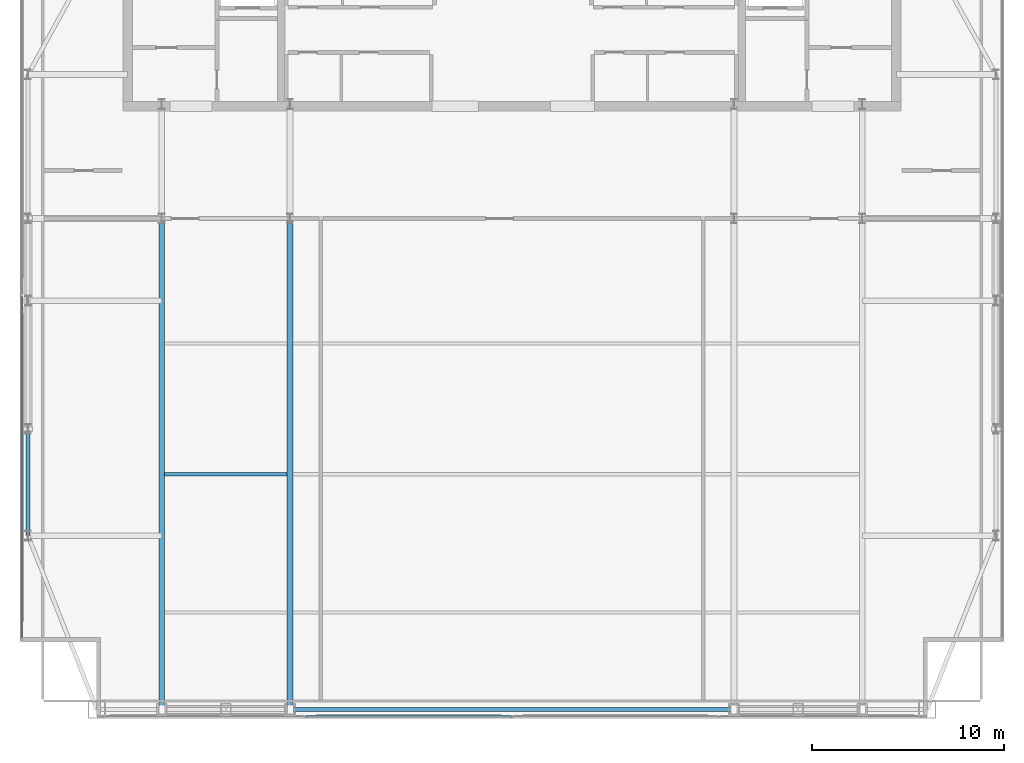
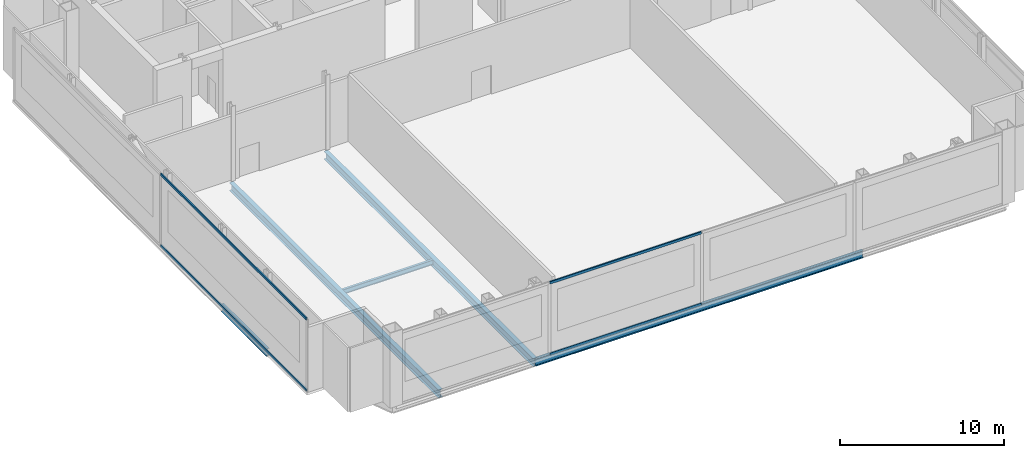
# One storey, part 5 of 22: 5 beams, 4 members, 2 elements without a shape of their own.
"""IFC4 building model written with IfcOpenShell, lengths in metres."""

from ifc_helpers import new_model, si_unit, direction, frame, origin, origin_2d, place, context, subcontext, project, spatial, hollow_rectangle, i_section, extrude, material, material_profile, profile_set, type_object, element, aggregate, save


model = new_model("IFC4")

# Units and contexts
model_context = context("Model", 3, precision=1e-05, world=origin(), true_north=direction((0.0, 1.0)))
body_context = subcontext(model_context, "Body", "Model", "MODEL_VIEW")
ifc_project = project(units=[si_unit("LENGTHUNIT", "METRE"), si_unit("AREAUNIT", "SQUARE_METRE"), si_unit("VOLUMEUNIT", "CUBIC_METRE"), si_unit("PLANEANGLEUNIT", "RADIAN"), si_unit("MASSUNIT", "GRAM", prefix="KILO")], contexts=[model_context])

# Site, building, storey
site_placement = place(None, origin())
site = spatial("IfcSite", under=ifc_project, at=site_placement, CompositionType="ELEMENT")
building_placement = place(site_placement, origin())
building = spatial("IfcBuilding", under=site, at=building_placement, Name="Khoronbel Lancet Exchange", CompositionType="ELEMENT")
storey_placement = place(building_placement, frame((0.0, 0.0, 361.800048828125)))
storey = spatial("IfcBuildingStorey", under=building, at=storey_placement, Name="L93", CompositionType="ELEMENT", Elevation=361.800048828125)

# Beams
ifc_material_1 = material(Name="Steel S355", Category="steel")
ifc_material_profile_1 = material_profile(ifc_material_1, i_section(OverallWidth=0.300048828125, OverallDepth=0.60009765625, WebThickness=0.015380859375, FlangeThickness=0.030029296875, at=origin_2d()), Name="HEB 600")
ifc_profile_set_1 = profile_set([ifc_material_profile_1], Name="Steel S355")
beam_type_1 = type_object("IfcBeamType", Name="BM-BG5", PredefinedType="BEAM", material=ifc_profile_set_1)
for number, where, z_axis, x_axis, name in (
    (1, (18.22509765625, 10.14990234375, -0.5), (0.0, 1.0, 0.0), (-1.0, 0.0, 0.0), "Level L93 south primary girder GS1"),
    (2, (24.89990234375, 10.14990234375, -0.5), (0.0, 1.0, 0.0), (-1.0, 0.0, 0.0), "Level L93 south primary girder GS2"),
):
    element("IfcBeam", number, at=place(storey_placement, frame(where, z_axis=z_axis, x_axis=x_axis)), inside=storey, type_object=beam_type_1, Name=name, PredefinedType="BEAM", context=body_context, shape_type="SweptSolid", body=[
        extrude(i_section(OverallWidth=0.300048828125, OverallDepth=0.60009765625, WebThickness=0.015380859375, FlangeThickness=0.030029296875, at=origin_2d()), origin(), (0.0, 0.0, 1.0), 25.550048828125),
    ])
ifc_material_profile_2 = material_profile(ifc_material_1, i_section(OverallWidth=0.169921875, OverallDepth=0.360107421875, WebThickness=0.008056640625, FlangeThickness=0.0126953125, at=origin_2d()), Name="IPE 360")
ifc_profile_set_2 = profile_set([ifc_material_profile_2], Name="Steel S355")
beam_type_2 = type_object("IfcBeamType", Name="BM-BJ6", PredefinedType="JOIST", material=ifc_profile_set_2)
beam_1_placement = place(storey_placement, frame((18.375, 22.39990234375, -0.380126953125), z_axis=(1.0, 0.0, 0.0), x_axis=(0.0, 1.0, 0.0)))
element("IfcBeam", 3, at=beam_1_placement, inside=storey, type_object=beam_type_2, Name="Level L93 secondary composite joist J04", PredefinedType="JOIST", context=body_context, shape_type="SweptSolid", body=[
    extrude(i_section(OverallWidth=0.169921875, OverallDepth=0.360107421875, WebThickness=0.008056640625, FlangeThickness=0.0126953125, at=origin_2d()), origin(), (0.0, 0.0, 1.0), 6.375),
])
ifc_material_profile_3 = material_profile(ifc_material_1, i_section(OverallWidth=0.2099609375, OverallDepth=0.550048828125, WebThickness=0.010986328125, FlangeThickness=0.01708984375, at=origin_2d()), Name="IPE 550")
ifc_profile_set_3 = profile_set([ifc_material_profile_3], Name="Steel S355")
beam_type_3 = type_object("IfcBeamType", Name="BM-BSP3", PredefinedType="SPANDREL", material=ifc_profile_set_3)
beam_2_placement = place(storey_placement, frame((24.89990234375, 10.14990234375, -0.47509765625), z_axis=(1.0, 0.0, 0.0), x_axis=(0.0, 1.0, 0.0)))
element("IfcBeam", 4, at=beam_2_placement, inside=storey, type_object=beam_type_3, Name="Level L93 perimeter spandrel beam SP04", PredefinedType="SPANDREL", context=body_context, shape_type="SweptSolid", body=[
    extrude(i_section(OverallWidth=0.2099609375, OverallDepth=0.550048828125, WebThickness=0.010986328125, FlangeThickness=0.01708984375, at=origin_2d()), origin(), (0.0, 0.0, 1.0), 23.10009765625),
])
beam_3_placement = place(storey_placement, frame((11.27001953125, 24.75, -0.47509765625), z_axis=(0.0, -1.0, 0.0), x_axis=(1.0, 0.0, 0.0)))
element("IfcBeam", 5, at=beam_3_placement, inside=storey, type_object=beam_type_3, Name="Level L93 perimeter spandrel beam SP18", PredefinedType="SPANDREL", context=body_context, shape_type="SweptSolid", body=[
    extrude(i_section(OverallWidth=0.2099609375, OverallDepth=0.550048828125, WebThickness=0.010986328125, FlangeThickness=0.01708984375, at=origin_2d()), origin(), (0.0, 0.0, 1.0), 5.550048828125),
])

# Curtain wall, members
ifc_material_2 = material(Name="Low-E Solar Control Insulating Glass", Category="glass")
curtain_wall_type = type_object("IfcCurtainWallType", Name="CW-6", PredefinedType="NOTDEFINED", material=ifc_material_2)
curtain_wall_1_placement = place(storey_placement, origin())
curtain_wall_1 = element("IfcCurtainWall", 6, at=curtain_wall_1_placement, inside=storey, type_object=curtain_wall_type, Name="Unitised curtain wall CW-L93-E03", PredefinedType="NOTDEFINED")
ifc_material_3 = material(Name="Bronze-Anodised Aluminium 6063-T6", Category="aluminium")
ifc_material_profile_4 = material_profile(ifc_material_3, hollow_rectangle(XDim=0.0849609375, YDim=0.179931640625, WallThickness=0.0048828125, at=origin_2d()), Name="ALU TRANSOM 85x180")
ifc_profile_set_4 = profile_set([ifc_material_profile_4], Name="Bronze-Anodised Aluminium 6063-T6")
member_type = type_object("IfcMemberType", Name="MEM-CWT1", PredefinedType="USERDEFINED", material=ifc_profile_set_4)
member_1_placement = place(storey_placement, frame((10.93994140625, 13.864990234375, 0.04248046875), z_axis=(0.0, 1.0, 0.0), x_axis=(-1.0, 0.0, 0.0)))
member_1 = element("IfcMember", 7, at=member_1_placement, type_object=member_type, Name="CW6 transom 1.1", ObjectType="TRANSOM", PredefinedType="USERDEFINED", context=body_context, shape_type="SweptSolid", body=[
    extrude(hollow_rectangle(XDim=0.0849609375, YDim=0.179931640625, WallThickness=0.0048828125, at=origin_2d()), origin(), (0.0, 0.0, 1.0), 17.797607421875),
])
member_2_placement = place(storey_placement, frame((10.93994140625, 13.864990234375, 5.357421875), z_axis=(0.0, 1.0, 0.0), x_axis=(-1.0, 0.0, 0.0)))
member_2 = element("IfcMember", 8, at=member_2_placement, type_object=member_type, Name="CW6 transom 1.2", ObjectType="TRANSOM", PredefinedType="USERDEFINED", context=body_context, shape_type="SweptSolid", body=[
    extrude(hollow_rectangle(XDim=0.0849609375, YDim=0.179931640625, WallThickness=0.0048828125, at=origin_2d()), origin(), (0.0, 0.0, 1.0), 17.797607421875),
])
aggregate(curtain_wall_1, [member_1, member_2])

curtain_wall_2_placement = place(storey_placement, origin())
curtain_wall_2 = element("IfcCurtainWall", 9, at=curtain_wall_2_placement, inside=storey, type_object=curtain_wall_type, Name="Unitised curtain wall CW-L93-E12", PredefinedType="NOTDEFINED")
member_3_placement = place(storey_placement, frame((36.41259765625, 9.7900390625, 0.04248046875), z_axis=(-1.0, 0.0, 0.0), x_axis=(0.0, -1.0, 0.0)))
member_3 = element("IfcMember", 10, at=member_3_placement, type_object=member_type, Name="CW6 transom 3.1", ObjectType="TRANSOM", PredefinedType="USERDEFINED", context=body_context, shape_type="SweptSolid", body=[
    extrude(hollow_rectangle(XDim=0.0849609375, YDim=0.179931640625, WallThickness=0.0048828125, at=origin_2d()), origin(), (0.0, 0.0, 1.0), 10.68017578125),
])
member_4_placement = place(storey_placement, frame((36.41259765625, 9.7900390625, 5.357421875), z_axis=(-1.0, 0.0, 0.0), x_axis=(0.0, -1.0, 0.0)))
member_4 = element("IfcMember", 11, at=member_4_placement, type_object=member_type, Name="CW6 transom 3.2", ObjectType="TRANSOM", PredefinedType="USERDEFINED", context=body_context, shape_type="SweptSolid", body=[
    extrude(hollow_rectangle(XDim=0.0849609375, YDim=0.179931640625, WallThickness=0.0048828125, at=origin_2d()), origin(), (0.0, 0.0, 1.0), 10.68017578125),
])
aggregate(curtain_wall_2, [member_3, member_4])

save(model, "model.ifc")
